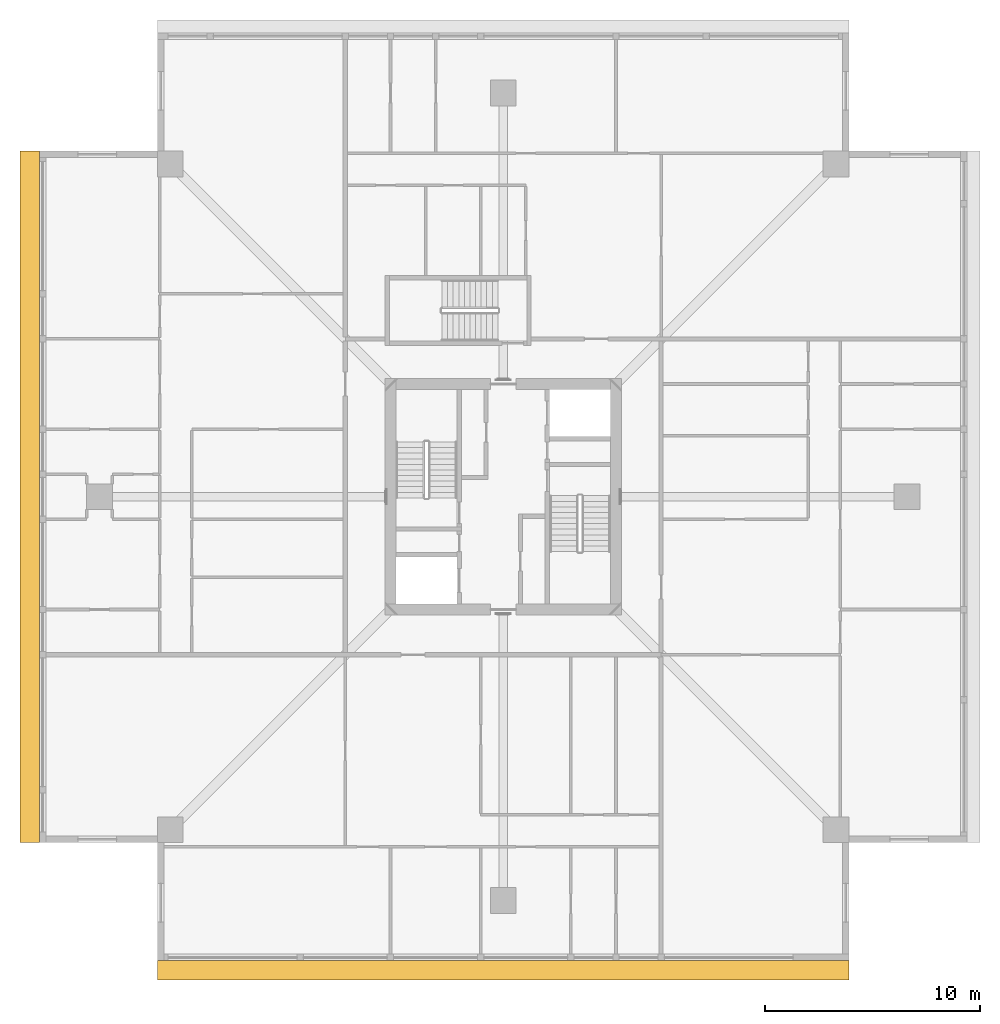
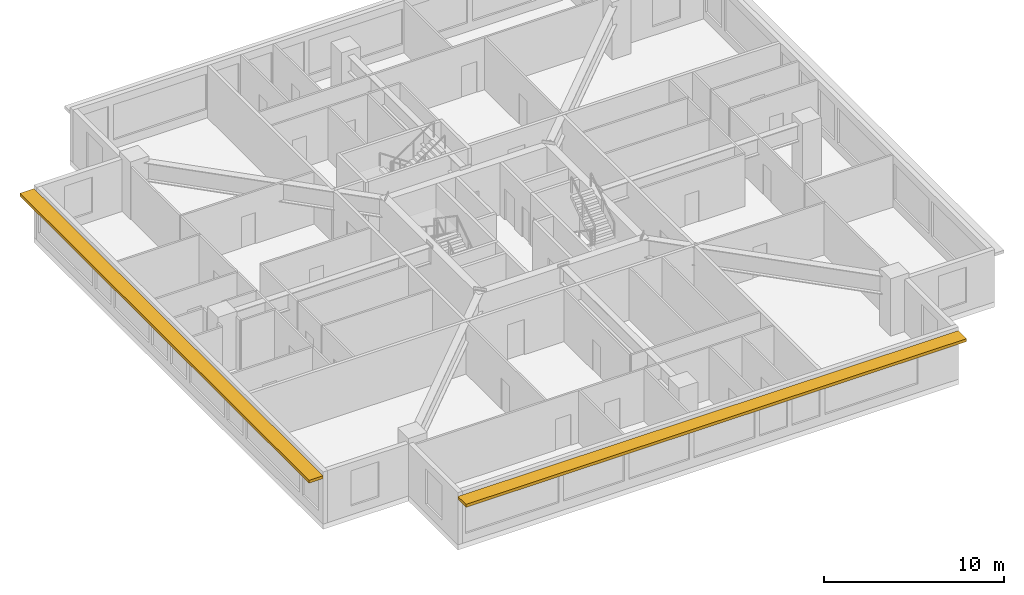
# One storey, part 10 of 12: 2 shading devices.
"""IFC4 building model written with IfcOpenShell, lengths in metres."""

from ifc_helpers import new_model, si_unit, direction, frame, origin, place, context, subcontext, project, spatial, polyline, outline, extrude, material, layer, layer_set, type_object, element, save


model = new_model("IFC4")

# Units and contexts
model_context = context("Model", 3, precision=1e-05, world=origin(), true_north=direction((0.0, 1.0)))
body_context = subcontext(model_context, "Body", "Model", "MODEL_VIEW")
ifc_project = project(units=[si_unit("LENGTHUNIT", "METRE"), si_unit("AREAUNIT", "SQUARE_METRE"), si_unit("VOLUMEUNIT", "CUBIC_METRE"), si_unit("PLANEANGLEUNIT", "RADIAN"), si_unit("MASSUNIT", "GRAM", prefix="KILO")], contexts=[model_context])

# Site, building, storey
site_placement = place(None, origin())
site = spatial("IfcSite", under=ifc_project, at=site_placement, CompositionType="ELEMENT")
building_placement = place(site_placement, origin())
building = spatial("IfcBuilding", under=site, at=building_placement, Name="Khepri Terraces", CompositionType="ELEMENT")
storey_placement = place(building_placement, frame((0.0, 0.0, 296.699951171875)))
storey = spatial("IfcBuildingStorey", under=building, at=storey_placement, Name="L71", CompositionType="ELEMENT", Elevation=296.699951171875)

# Shading devices
ifc_material = material(Name="Precast concrete C50/60 warm stone", Category="masonry")
ifc_layer = layer(ifc_material, 0.199951171875, Name="Precast concrete C50/60 warm stone", Category="masonry")
ifc_layer_set = layer_set([ifc_layer], Name="Precast concrete C50/60 warm stone")
shading_device_type = type_object("IfcShadingDeviceType", Name="SSH-BAND-STONE-200", PredefinedType="USERDEFINED", material=ifc_layer_set)
shading_device_1_placement = place(storey_placement, frame((0.0, 0.0, 3.10009765625)))
element("IfcShadingDevice", 1, at=shading_device_1_placement, inside=storey, type_object=shading_device_type, Name="Sunshade band L71 S", ObjectType="SUNSHADE", PredefinedType="USERDEFINED", context=body_context, shape_type="SweptSolid", body=[
    extrude(outline(polyline([(16.10009765625, -21.60009765625), (-16.10009765625, -21.60009765625), (-16.10009765625, -22.5), (16.10009765625, -22.5), (16.10009765625, -21.60009765625)])), origin(), (0.0, 0.0, 1.0), 0.199951171875),
])
shading_device_2_placement = place(storey_placement, frame((0.0, 0.0, 3.10009765625)))
element("IfcShadingDevice", 2, at=shading_device_2_placement, inside=storey, type_object=shading_device_type, Name="Sunshade band L71 W", ObjectType="SUNSHADE", PredefinedType="USERDEFINED", context=body_context, shape_type="SweptSolid", body=[
    extrude(outline(polyline([(-21.60009765625, -16.10009765625), (-21.60009765625, 16.10009765625), (-22.5, 16.10009765625), (-22.5, -16.10009765625), (-21.60009765625, -16.10009765625)])), origin(), (0.0, 0.0, 1.0), 0.199951171875),
])

save(model, "model.ifc")
